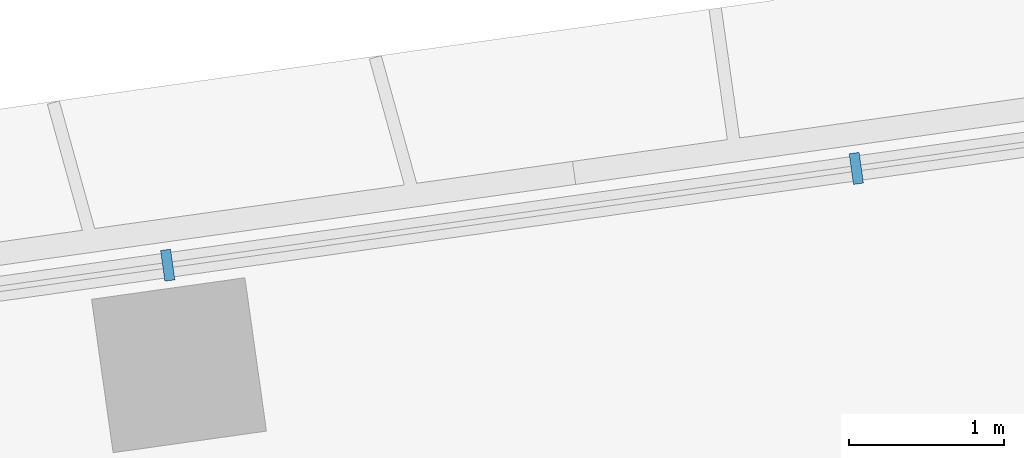
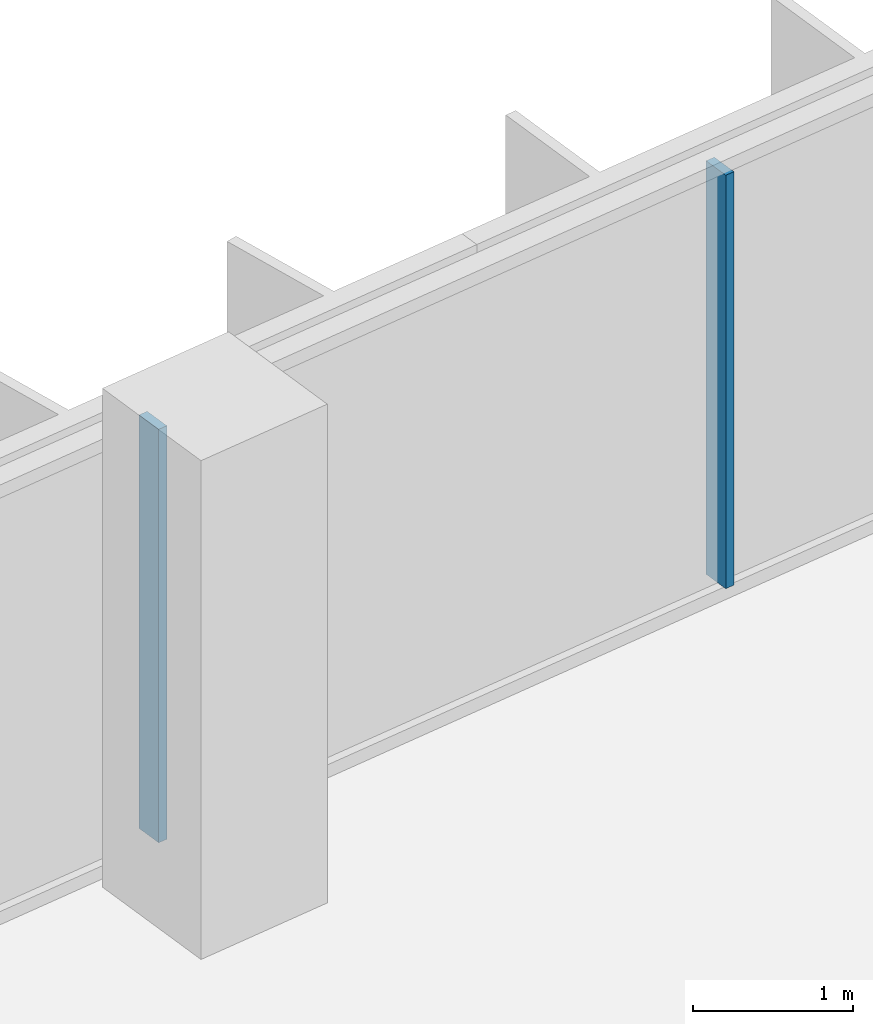
# One storey, part 8 of 24: 2 members, 1 element without a shape of its own.
"""IFC4 building model written with IfcOpenShell, lengths in metres."""

from ifc_helpers import new_model, si_unit, direction, frame, origin, origin_2d, place, context, subcontext, project, spatial, rectangle, extrude, material, material_profile, profile_set, type_object, element, aggregate, save


model = new_model("IFC4")

# Units and contexts
model_context = context("Model", 3, precision=1e-05, world=origin(), true_north=direction((0.0, 1.0)))
body_context = subcontext(model_context, "Body", "Model", "MODEL_VIEW")
ifc_project = project(units=[si_unit("LENGTHUNIT", "METRE"), si_unit("AREAUNIT", "SQUARE_METRE"), si_unit("VOLUMEUNIT", "CUBIC_METRE"), si_unit("PLANEANGLEUNIT", "RADIAN"), si_unit("MASSUNIT", "GRAM", prefix="KILO")], contexts=[model_context])

# Site, building, storey
site_placement = place(None, origin())
site = spatial("IfcSite", under=ifc_project, at=site_placement, CompositionType="ELEMENT")
building_placement = place(site_placement, origin())
building = spatial("IfcBuilding", under=site, at=building_placement, Name="Mirante Cascada Hotel Towers", CompositionType="ELEMENT")
storey_placement = place(building_placement, frame((0.0, 0.0, 81.3)))
storey = spatial("IfcBuildingStorey", under=building, at=storey_placement, Name="L17", CompositionType="ELEMENT", Elevation=81.3)

# Curtain wall, members
ifc_material_1 = material(Name="Aluminium mullion and transom frame with clear laminated glass", Category="aluminium")
curtain_wall_type = type_object("IfcCurtainWallType", Name="Ribbon curtain wall ECW1", PredefinedType="NOTDEFINED", material=ifc_material_1)
curtain_wall_placement = place(storey_placement, origin())
curtain_wall = element("IfcCurtainWall", 1, at=curtain_wall_placement, inside=storey, type_object=curtain_wall_type, Name="Front ribbon wall T2 L17", PredefinedType="NOTDEFINED")
ifc_material_2 = material(Name="Anodised aluminium extrusion", Category="aluminium")
ifc_material_profile = material_profile(ifc_material_2, rectangle(XDim=0.2, YDim=0.065, at=origin_2d()), Name="ECW1 MULLION 65x200")
ifc_profile_set = profile_set([ifc_material_profile], Name="Anodised aluminium extrusion")
member_type = type_object("IfcMemberType", Name="ECW1 mullion 65x200", PredefinedType="MULLION", material=ifc_profile_set)
member_1_placement = place(storey_placement, frame((58.5788, 21.0517, 0.1), z_axis=(0.0, 0.0, 1.0), x_axis=(0.1391731, -0.9902681, 0.0)))
member_1 = element("IfcMember", 2, at=member_1_placement, type_object=member_type, Name="ECW1 mullion 9", PredefinedType="MULLION", context=body_context, shape_type="SweptSolid", body=[
    extrude(rectangle(XDim=0.2, YDim=0.065, at=origin_2d()), origin(), (0.0, 0.0, 1.0), 3.15),
])
member_2_placement = place(storey_placement, frame((54.1314, 20.4267, 0.1), z_axis=(0.0, 0.0, 1.0), x_axis=(0.1391731, -0.9902681, 0.0)))
member_2 = element("IfcMember", 3, at=member_2_placement, type_object=member_type, Name="ECW1 mullion 10", PredefinedType="MULLION", context=body_context, shape_type="SweptSolid", body=[
    extrude(rectangle(XDim=0.2, YDim=0.065, at=origin_2d()), origin(), (0.0, 0.0, 1.0), 3.15),
])
aggregate(curtain_wall, [member_1, member_2])

save(model, "model.ifc")
